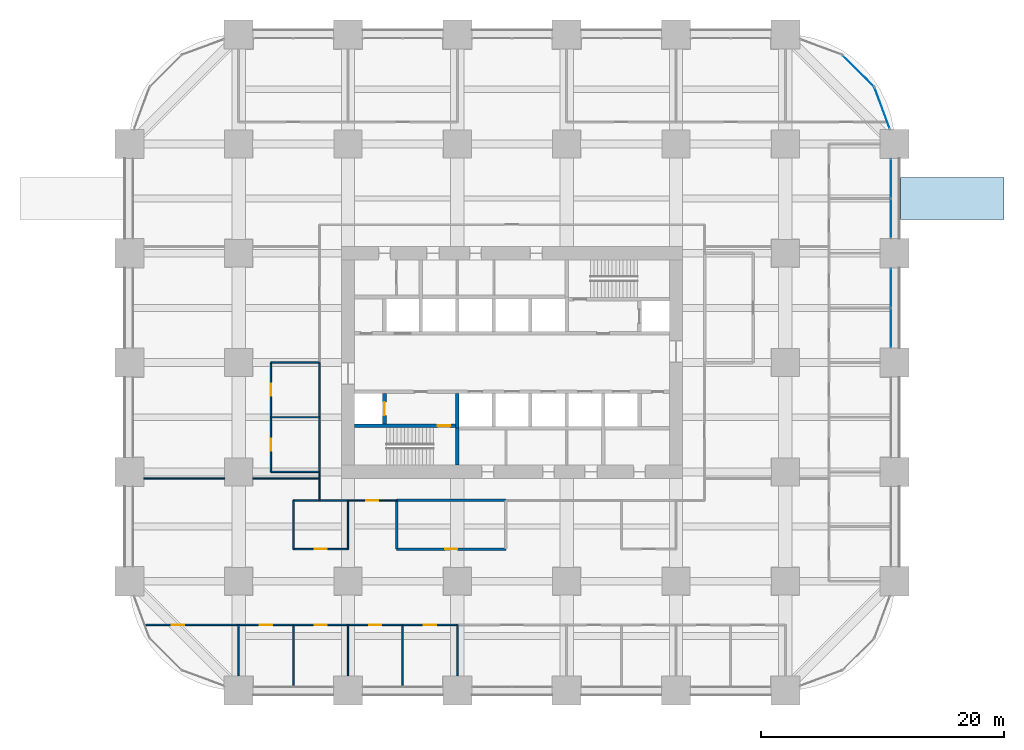
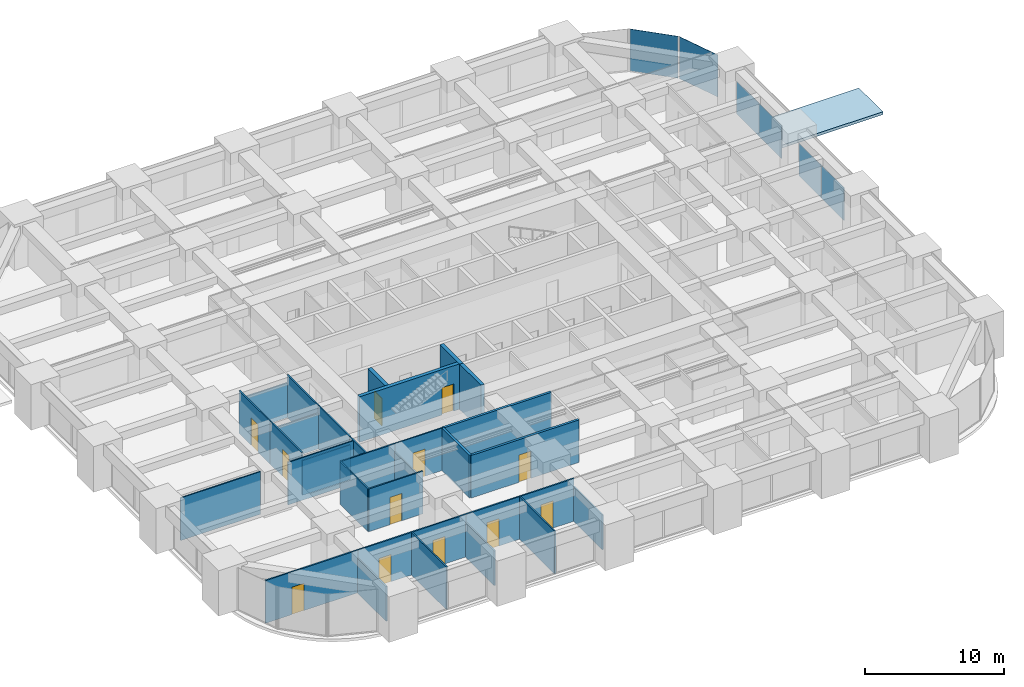
# One storey, part 33 of 39: 32 walls, 12 doors, 6 plates, 1 slab, 12 openings, 4 elements without a shape of their own.
"""IFC4 building model written with IfcOpenShell, lengths in metres."""

from ifc_helpers import new_model, si_unit, direction, frame, frame_2d, origin, origin_2d, place, context, subcontext, project, spatial, polyline, rectangle, outline, extrude, material, layer, layer_set, type_object, element, fill, aggregate, save


model = new_model("IFC4")

# Units and contexts
model_context = context("Model", 3, precision=1e-05, world=origin(), true_north=direction((0.0, 1.0)))
body_context = subcontext(model_context, "Body", "Model", "MODEL_VIEW")
ifc_project = project(units=[si_unit("LENGTHUNIT", "METRE"), si_unit("AREAUNIT", "SQUARE_METRE"), si_unit("VOLUMEUNIT", "CUBIC_METRE"), si_unit("PLANEANGLEUNIT", "RADIAN"), si_unit("MASSUNIT", "GRAM", prefix="KILO")], contexts=[model_context])

# Site, building, storey
site_placement = place(None, origin())
site = spatial("IfcSite", under=ifc_project, at=site_placement, CompositionType="ELEMENT")
building_placement = place(site_placement, origin())
building = spatial("IfcBuilding", under=site, at=building_placement, Name="Zorevar Civic Tower", CompositionType="ELEMENT")
storey_placement = place(building_placement, frame((0.0, 0.0, 19.800048828125)))
storey = spatial("IfcBuildingStorey", under=building, at=storey_placement, Name="L04", CompositionType="ELEMENT", Elevation=19.800048828125)

# Curtain wall, plates
ifc_material_1 = material(Name="Dark grey solar-control glass in black aluminium frame", Category="aluminium")
curtain_wall_type = type_object("IfcCurtainWallType", Name="Curtain wall CW2 low zone", PredefinedType="NOTDEFINED", material=ifc_material_1)
curtain_wall_1_placement = place(storey_placement, origin())
curtain_wall_1 = element("IfcCurtainWall", 1, at=curtain_wall_1_placement, inside=storey, type_object=curtain_wall_type, Name="CW2 L04", PredefinedType="NOTDEFINED")
ifc_material_2 = material(Name="Dark grey solar-control glass", Category="glass")
ifc_layer_1 = layer(ifc_material_2, 0.031982421875)
ifc_layer_set_1 = layer_set([ifc_layer_1], Name="CW2 panel 32")
plate_type = type_object("IfcPlateType", Name="CW2 panel 32", PredefinedType="CURTAIN_PANEL", material=ifc_layer_set_1)
plate_1_placement = place(storey_placement, frame((62.699951171875, 29.864990234375, 0.06005859375), z_axis=(0.0, 0.0, 1.0), x_axis=(0.0, 1.0, 0.0)))
plate_1 = element("IfcPlate", 2, at=plate_1_placement, type_object=plate_type, Name="CW2 panel 1.1", PredefinedType="CURTAIN_PANEL", context=body_context, shape_type="SweptSolid", body=[
    extrude(rectangle(XDim=3.2099609375, YDim=0.031982421875, at=origin_2d()), origin(), (0.0, 0.0, 1.0), 2.889892578125),
])
plate_2_placement = place(storey_placement, frame((62.699951171875, 33.135009765625, 0.06005859375), z_axis=(0.0, 0.0, 1.0), x_axis=(0.0, 1.0, 0.0)))
plate_2 = element("IfcPlate", 3, at=plate_2_placement, type_object=plate_type, Name="CW2 panel 2.1", PredefinedType="CURTAIN_PANEL", context=body_context, shape_type="SweptSolid", body=[
    extrude(rectangle(XDim=3.2099609375, YDim=0.031982421875, at=origin_2d()), origin(), (0.0, 0.0, 1.0), 2.889892578125),
])
aggregate(curtain_wall_1, [plate_1, plate_2])

curtain_wall_2_placement = place(storey_placement, origin())
curtain_wall_2 = element("IfcCurtainWall", 4, at=curtain_wall_2_placement, inside=storey, type_object=curtain_wall_type, Name="CW2 L04", PredefinedType="NOTDEFINED")
plate_3_placement = place(storey_placement, frame((62.699951171875, 38.864990234375, 0.06005859375), z_axis=(0.0, 0.0, 1.0), x_axis=(0.0, 1.0, 0.0)))
plate_3 = element("IfcPlate", 5, at=plate_3_placement, type_object=plate_type, Name="CW2 panel 1.1", PredefinedType="CURTAIN_PANEL", context=body_context, shape_type="SweptSolid", body=[
    extrude(rectangle(XDim=3.2099609375, YDim=0.031982421875, at=origin_2d()), origin(), (0.0, 0.0, 1.0), 2.889892578125),
])
plate_4_placement = place(storey_placement, frame((62.699951171875, 42.135009765625, 0.06005859375), z_axis=(0.0, 0.0, 1.0), x_axis=(0.0, 1.0, 0.0)))
plate_4 = element("IfcPlate", 6, at=plate_4_placement, type_object=plate_type, Name="CW2 panel 2.1", PredefinedType="CURTAIN_PANEL", context=body_context, shape_type="SweptSolid", body=[
    extrude(rectangle(XDim=3.2099609375, YDim=0.031982421875, at=origin_2d()), origin(), (0.0, 0.0, 1.0), 2.889892578125),
])
aggregate(curtain_wall_2, [plate_3, plate_4])

# Curtain wall, plate
curtain_wall_3_placement = place(storey_placement, origin())
curtain_wall_3 = element("IfcCurtainWall", 7, at=curtain_wall_3_placement, inside=storey, type_object=curtain_wall_type, Name="CW2 L04", PredefinedType="NOTDEFINED")
plate_5_placement = place(storey_placement, frame((61.97119140625, 47.9462890625, 0.06005859375), z_axis=(0.0, 0.0, 1.0), x_axis=(-0.346704012033, 0.937974588163, 0.0)))
plate_5 = element("IfcPlate", 8, at=plate_5_placement, type_object=plate_type, Name="CW2 panel 1.1", PredefinedType="CURTAIN_PANEL", context=body_context, shape_type="SweptSolid", body=[
    extrude(rectangle(XDim=3.603759765625, YDim=0.031982421875, at=origin_2d()), origin(), (0.0, 0.0, 1.0), 3.68994140625),
])
aggregate(curtain_wall_3, [plate_5])

curtain_wall_4_placement = place(storey_placement, origin())
curtain_wall_4 = element("IfcCurtainWall", 9, at=curtain_wall_4_placement, inside=storey, type_object=curtain_wall_type, Name="CW2 L04", PredefinedType="NOTDEFINED")
plate_6_placement = place(storey_placement, frame((60.00927734375, 51.00927734375, 0.06005859375), z_axis=(0.0, 0.0, 1.0), x_axis=(-0.707106781187, 0.707106781187, 0.0)))
plate_6 = element("IfcPlate", 10, at=plate_6_placement, type_object=plate_type, Name="CW2 panel 1.1", PredefinedType="CURTAIN_PANEL", context=body_context, shape_type="SweptSolid", body=[
    extrude(rectangle(XDim=3.603759765625, YDim=0.031982421875, at=origin_2d()), origin(), (0.0, 0.0, 1.0), 3.68994140625),
])
aggregate(curtain_wall_4, [plate_6])

# Slab
ifc_material_3 = material(Name="Concrete C40/50", Category="concrete")
ifc_layer_2 = layer(ifc_material_3, 0.25)
ifc_layer_set_2 = layer_set([ifc_layer_2], Name="Stair roof slab 250")
slab_type = type_object("IfcSlabType", Name="Stair roof slab 250", PredefinedType="ROOF", material=ifc_layer_set_2)
slab_placement = place(storey_placement, frame((0.0, 0.0, -0.25)))
element("IfcSlab", 11, at=slab_placement, inside=storey, type_object=slab_type, Name="Stair PS2 head-house roof", PredefinedType="ROOF", context=body_context, shape_type="SweptSolid", body=[
    extrude(outline(polyline([(63.5, 38.77490234375), (72.0, 38.77490234375), (72.0, 42.22509765625), (63.5, 42.22509765625), (63.5, 38.77490234375)])), origin(), (0.0, 0.0, 1.0), 0.25),
])

# Wall, opening, door
ifc_material_4 = material(Name="Concrete blockwork", Category="masonry")
ifc_layer_3 = layer(ifc_material_4, 0.199951171875)
ifc_layer_set_3 = layer_set([ifc_layer_3], Name="Blockwork wall 200")
wall_type_1 = type_object("IfcWallType", Name="Blockwork wall 200", PredefinedType="SOLIDWALL", material=ifc_layer_set_3)
wall_1_placement = place(storey_placement, frame((22.0, 11.64990234375, 0.0), z_axis=(0.0, 0.0, 1.0), x_axis=(1.0, 0.0, 0.0)))
wall_1 = element("IfcWall", 12, at=wall_1_placement, inside=storey, type_object=wall_type_1, Name="Blockwork wall 200 L04", PredefinedType="SOLIDWALL", context=body_context, shape_type="SweptSolid", body=[
    extrude(rectangle(XDim=9.0, YDim=0.199951171875, at=frame_2d((4.5, 0.0))), origin(), (0.0, 0.0, 1.0), 3.75),
])
opening_1_placement = place(wall_1_placement, frame((4.0, 0.0, 0.0)))
opening_1 = element("IfcOpeningElement", 13, at=opening_1_placement, cuts=wall_1, Name="Opening L04.27", PredefinedType="OPENING", context=body_context, shape_type="SweptSolid", body=[
    extrude(rectangle(XDim=1.0, YDim=2.39990234375, at=frame_2d((0.5, 1.199951171875))), frame((0.0, 0.10986328125, 0.0), z_axis=(0.0, -1.0, 0.0), x_axis=(1.0, 0.0, 0.0)), (0.0, 0.0, 1.0), 0.219970703125),
])
ifc_material_5 = material(Name="Steel door set", Category="steel")
door_type_1 = type_object("IfcDoorType", Name="Security door SD1 1000x2400", OperationType="SINGLE_SWING_LEFT", PredefinedType="DOOR", material=ifc_material_5)
door_1_placement = place(opening_1_placement, origin())
door_1 = element("IfcDoor", 14, at=door_1_placement, inside=storey, type_object=door_type_1, Name="Door L04 D1", OperationType="SINGLE_SWING_LEFT", OverallHeight=2.39990234375, OverallWidth=1.0, PredefinedType="DOOR", context=body_context, shape_type="SweptSolid", body=[
    extrude(rectangle(XDim=1.0, YDim=2.39990234375, at=frame_2d((0.5, 1.199951171875))), frame((0.0, 0.03515625, 0.0), z_axis=(0.0, -1.0, 0.0), x_axis=(1.0, 0.0, 0.0)), (0.0, 0.0, 1.0), 0.070068359375),
])
fill(opening_1, door_1)

# Walls
wall_2_placement = place(storey_placement, frame((22.0, 15.64990234375, 0.0), z_axis=(0.0, 0.0, 1.0), x_axis=(1.0, 0.0, 0.0)))
element("IfcWall", 15, at=wall_2_placement, inside=storey, type_object=wall_type_1, Name="Blockwork wall 200 L04", PredefinedType="SOLIDWALL", context=body_context, shape_type="SweptSolid", body=[
    extrude(rectangle(XDim=9.0, YDim=0.199951171875, at=frame_2d((4.5, 0.0))), origin(), (0.0, 0.0, 1.0), 3.75),
])
wall_3_placement = place(storey_placement, frame((22.0, 11.64990234375, 0.0), z_axis=(0.0, 0.0, 1.0), x_axis=(0.0, 1.0, 0.0)))
element("IfcWall", 16, at=wall_3_placement, inside=storey, type_object=wall_type_1, Name="Blockwork wall 200 L04", PredefinedType="SOLIDWALL", context=body_context, shape_type="SweptSolid", body=[
    extrude(rectangle(XDim=4.0, YDim=0.199951171875, at=frame_2d((2.0, 0.0))), origin(), (0.0, 0.0, 1.0), 3.75),
])

# Wall, opening, door
ifc_material_6 = material(Name="Laminated glass in black aluminium frame", Category="aluminium")
ifc_layer_4 = layer(ifc_material_6, 0.10009765625)
ifc_layer_set_4 = layer_set([ifc_layer_4], Name="Glazed partition 100")
wall_type_2 = type_object("IfcWallType", Name="Glazed partition 100", PredefinedType="PARTITIONING", material=ifc_layer_set_4)
wall_4_placement = place(storey_placement, frame((18.0, 15.64990234375, 0.0), z_axis=(0.0, 0.0, 1.0), x_axis=(1.0, 0.0, 0.0)))
wall_4 = element("IfcWall", 17, at=wall_4_placement, inside=storey, type_object=wall_type_2, Name="Glazed partition 100 L04", PredefinedType="PARTITIONING", context=body_context, shape_type="SweptSolid", body=[
    extrude(rectangle(XDim=4.0, YDim=0.10009765625, at=frame_2d((2.0, 0.0))), origin(), (0.0, 0.0, 1.0), 3.75),
])
opening_2_placement = place(wall_4_placement, frame((1.5, 0.0, 0.0)))
opening_2 = element("IfcOpeningElement", 18, at=opening_2_placement, cuts=wall_4, Name="Opening L04.30", PredefinedType="OPENING", context=body_context, shape_type="SweptSolid", body=[
    extrude(rectangle(XDim=1.0, YDim=2.39990234375, at=frame_2d((0.5, 1.199951171875))), frame((0.0, 0.06005859375, 0.0), z_axis=(0.0, -1.0, 0.0), x_axis=(1.0, 0.0, 0.0)), (0.0, 0.0, 1.0), 0.1201171875),
])
ifc_material_7 = material(Name="Timber door set", Category="wood")
door_type_2 = type_object("IfcDoorType", Name="Glazed door GD1 1000x2400", OperationType="SINGLE_SWING_LEFT", PredefinedType="DOOR", material=ifc_material_7)
door_2_placement = place(opening_2_placement, origin())
door_2 = element("IfcDoor", 19, at=door_2_placement, inside=storey, type_object=door_type_2, Name="Door L04 D1", OperationType="SINGLE_SWING_LEFT", OverallHeight=2.39990234375, OverallWidth=1.0, PredefinedType="DOOR", context=body_context, shape_type="SweptSolid", body=[
    extrude(rectangle(XDim=1.0, YDim=2.39990234375, at=frame_2d((0.5, 1.199951171875))), frame((0.0, 0.02001953125, 0.0), z_axis=(0.0, -1.0, 0.0), x_axis=(1.0, 0.0, 0.0)), (0.0, 0.0, 1.0), 0.0400390625),
])
fill(opening_2, door_2)

# Walls
wall_5_placement = place(storey_placement, frame((1.199951171875, 17.449951171875, 0.0), z_axis=(0.0, 0.0, 1.0), x_axis=(1.0, 0.0, 0.0)))
element("IfcWall", 20, at=wall_5_placement, inside=storey, type_object=wall_type_2, Name="Glazed partition 100 L04", PredefinedType="PARTITIONING", context=body_context, shape_type="SweptSolid", body=[
    extrude(rectangle(XDim=6.650146484375, YDim=0.10009765625, at=frame_2d((3.3251953125, 0.0))), origin(), (0.0, 0.0, 1.0), 3.75),
])
wall_6_placement = place(storey_placement, frame((10.14990234375, 17.449951171875, 0.0), z_axis=(0.0, 0.0, 1.0), x_axis=(1.0, 0.0, 0.0)))
element("IfcWall", 21, at=wall_6_placement, inside=storey, type_object=wall_type_2, Name="Glazed partition 100 L04", PredefinedType="PARTITIONING", context=body_context, shape_type="SweptSolid", body=[
    extrude(rectangle(XDim=5.5, YDim=0.10009765625, at=frame_2d((2.75, 0.0))), origin(), (0.0, 0.0, 1.0), 3.75),
])
wall_7_placement = place(storey_placement, frame((15.64990234375, 15.64990234375, 0.0), z_axis=(0.0, 0.0, 1.0), x_axis=(0.0, 1.0, 0.0)))
element("IfcWall", 22, at=wall_7_placement, inside=storey, type_object=wall_type_2, Name="Glazed partition 100 L04", PredefinedType="PARTITIONING", context=body_context, shape_type="SweptSolid", body=[
    extrude(rectangle(XDim=2.35009765625, YDim=0.10009765625, at=frame_2d((1.175048828125, 0.0))), origin(), (0.0, 0.0, 1.0), 3.75),
])

# Wall, opening, door
ifc_material_8 = material(Name="Concrete C40/50", Category="concrete")
ifc_layer_5 = layer(ifc_material_8, 0.300048828125)
ifc_layer_set_5 = layer_set([ifc_layer_5], Name="Inner core wall 300")
wall_type_3 = type_object("IfcWallType", Name="Inner core wall 300", PredefinedType="SHEAR", material=ifc_layer_set_5)
wall_8_placement = place(storey_placement, frame((18.550048828125, 21.800048828125, 0.0), z_axis=(0.0, 0.0, 1.0), x_axis=(1.0, 0.0, 0.0)))
wall_8 = element("IfcWall", 23, at=wall_8_placement, inside=storey, type_object=wall_type_3, Name="Inner core wall S00 L04", PredefinedType="SHEAR", context=body_context, shape_type="SweptSolid", body=[
    extrude(rectangle(XDim=8.300048828125, YDim=0.300048828125, at=frame_2d((4.14990234375, 0.0))), origin(), (0.0, 0.0, 1.0), 4.0),
])
opening_3_placement = place(wall_8_placement, frame((6.85009765625, 0.0, 0.0)))
opening_3 = element("IfcOpeningElement", 24, at=opening_3_placement, cuts=wall_8, Name="Opening L04.11", PredefinedType="OPENING", context=body_context, shape_type="SweptSolid", body=[
    extrude(rectangle(XDim=1.0, YDim=2.39990234375, at=frame_2d((0.5, 1.199951171875))), frame((0.0, 0.159912109375, 0.0), z_axis=(0.0, -1.0, 0.0), x_axis=(1.0, 0.0, 0.0)), (0.0, 0.0, 1.0), 0.320068359375),
])
ifc_material_9 = material(Name="Steel door set", Category="steel")
door_type_3 = type_object("IfcDoorType", Name="Fire door FD1 1000x2400", OperationType="SINGLE_SWING_LEFT", PredefinedType="DOOR", material=ifc_material_9)
door_3_placement = place(opening_3_placement, origin())
door_3 = element("IfcDoor", 25, at=door_3_placement, inside=storey, type_object=door_type_3, Name="Door L04 10", OperationType="SINGLE_SWING_RIGHT", OverallHeight=2.39990234375, OverallWidth=1.0, PredefinedType="DOOR", context=body_context, shape_type="SweptSolid", body=[
    extrude(rectangle(XDim=1.0, YDim=2.39990234375, at=frame_2d((0.5, 1.199951171875))), frame((0.0, 0.030029296875, 0.0), z_axis=(0.0, -1.0, 0.0), x_axis=(1.0, 0.0, 0.0)), (0.0, 0.0, 1.0), 0.06005859375),
])
fill(opening_3, door_3)

# Wall
wall_9_placement = place(storey_placement, frame((27.0, 18.550048828125, 0.0), z_axis=(0.0, 0.0, 1.0), x_axis=(0.0, 1.0, 0.0)))
element("IfcWall", 26, at=wall_9_placement, inside=storey, type_object=wall_type_3, Name="Inner core wall S01 L04", PredefinedType="SHEAR", context=body_context, shape_type="SweptSolid", body=[
    extrude(rectangle(XDim=3.050048828125, YDim=0.300048828125, at=frame_2d((1.52490234375, 0.0))), origin(), (0.0, 0.0, 1.0), 4.0),
])

# Wall, opening, door
wall_10_placement = place(storey_placement, frame((21.0, 21.949951171875, 0.0), z_axis=(0.0, 0.0, 1.0), x_axis=(0.0, 1.0, 0.0)))
wall_10 = element("IfcWall", 27, at=wall_10_placement, inside=storey, type_object=wall_type_3, Name="Inner core wall S02 L04", PredefinedType="SHEAR", context=body_context, shape_type="SweptSolid", body=[
    extrude(rectangle(XDim=2.5, YDim=0.300048828125, at=frame_2d((1.25, 0.0))), origin(), (0.0, 0.0, 1.0), 4.0),
])
opening_4_placement = place(wall_10_placement, frame((0.699951171875, 0.0, 0.0)))
opening_4 = element("IfcOpeningElement", 28, at=opening_4_placement, cuts=wall_10, Name="Opening L04.FL1", PredefinedType="OPENING", context=body_context, shape_type="SweptSolid", body=[
    extrude(rectangle(XDim=1.10009765625, YDim=2.39990234375, at=frame_2d((0.550048828125, 1.199951171875))), frame((0.0, 0.159912109375, 0.0), z_axis=(0.0, -1.0, 0.0), x_axis=(1.0, 0.0, 0.0)), (0.0, 0.0, 1.0), 0.320068359375),
])
ifc_material_10 = material(Name="Steel door set", Category="steel")
door_type_4 = type_object("IfcDoorType", Name="Firefighting lift landing door LD3 1100x2400", OperationType="DOUBLE_DOOR_SLIDING", PredefinedType="DOOR", material=ifc_material_10)
door_4_placement = place(opening_4_placement, origin())
door_4 = element("IfcDoor", 29, at=door_4_placement, inside=storey, type_object=door_type_4, Name="Landing door FL1 L04", OperationType="DOUBLE_DOOR_SLIDING", OverallHeight=2.39990234375, OverallWidth=1.10009765625, PredefinedType="DOOR", context=body_context, shape_type="SweptSolid", body=[
    extrude(rectangle(XDim=1.10009765625, YDim=2.39990234375, at=frame_2d((0.550048828125, 1.199951171875))), frame((0.0, 0.030029296875, 0.0), z_axis=(0.0, -1.0, 0.0), x_axis=(1.0, 0.0, 0.0)), (0.0, 0.0, 1.0), 0.06005859375),
])
fill(opening_4, door_4)

# Wall
wall_11_placement = place(storey_placement, frame((27.0, 21.60009765625, 0.0), z_axis=(0.0, 0.0, 1.0), x_axis=(0.0, 1.0, 0.0)))
element("IfcWall", 30, at=wall_11_placement, inside=storey, type_object=wall_type_3, Name="Inner core wall S10 L04", PredefinedType="SHEAR", context=body_context, shape_type="SweptSolid", body=[
    extrude(rectangle(XDim=2.849853515625, YDim=0.300048828125, at=frame_2d((1.4248046875, 0.0))), origin(), (0.0, 0.0, 1.0), 4.0),
])

# Wall, opening, door
ifc_material_11 = material(Name="Gypsum board on steel studs", Category="steel")
ifc_layer_6 = layer(ifc_material_11, 0.1201171875)
ifc_layer_set_6 = layer_set([ifc_layer_6], Name="Partition 120")
wall_type_4 = type_object("IfcWallType", Name="Partition 120", PredefinedType="PARTITIONING", material=ifc_layer_set_6)
wall_12_placement = place(storey_placement, frame((9.0, 5.39990234375, 0.0), z_axis=(0.0, 0.0, 1.0), x_axis=(1.0, 0.0, 0.0)))
wall_12 = element("IfcWall", 31, at=wall_12_placement, inside=storey, type_object=wall_type_4, Name="Partition 120 L04", PredefinedType="PARTITIONING", context=body_context, shape_type="SweptSolid", body=[
    extrude(rectangle(XDim=4.5, YDim=0.1201171875, at=frame_2d((2.25, 0.0))), origin(), (0.0, 0.0, 1.0), 3.75),
])
opening_5_placement = place(wall_12_placement, frame((1.75, 0.0, 0.0)))
opening_5 = element("IfcOpeningElement", 32, at=opening_5_placement, cuts=wall_12, Name="Opening L04.17", PredefinedType="OPENING", context=body_context, shape_type="SweptSolid", body=[
    extrude(rectangle(XDim=1.0, YDim=2.39990234375, at=frame_2d((0.5, 1.199951171875))), frame((0.0, 0.070068359375, 0.0), z_axis=(0.0, -1.0, 0.0), x_axis=(1.0, 0.0, 0.0)), (0.0, 0.0, 1.0), 0.14013671875),
])
ifc_material_12 = material(Name="Timber door set", Category="wood")
door_type_5 = type_object("IfcDoorType", Name="Door D1 1000x2400", OperationType="SINGLE_SWING_LEFT", PredefinedType="DOOR", material=ifc_material_12)
door_5_placement = place(opening_5_placement, origin())
door_5 = element("IfcDoor", 33, at=door_5_placement, inside=storey, type_object=door_type_5, Name="Door L04 D1", OperationType="SINGLE_SWING_RIGHT", OverallHeight=2.39990234375, OverallWidth=1.0, PredefinedType="DOOR", context=body_context, shape_type="SweptSolid", body=[
    extrude(rectangle(XDim=1.0, YDim=2.39990234375, at=frame_2d((0.5, 1.199951171875))), frame((0.0, 0.02490234375, 0.0), z_axis=(0.0, -1.0, 0.0), x_axis=(1.0, 0.0, 0.0)), (0.0, 0.0, 1.0), 0.050048828125),
])
fill(opening_5, door_5)

wall_13_placement = place(storey_placement, frame((13.5, 5.39990234375, 0.0), z_axis=(0.0, 0.0, 1.0), x_axis=(1.0, 0.0, 0.0)))
wall_13 = element("IfcWall", 34, at=wall_13_placement, inside=storey, type_object=wall_type_4, Name="Partition 120 L04", PredefinedType="PARTITIONING", context=body_context, shape_type="SweptSolid", body=[
    extrude(rectangle(XDim=4.5, YDim=0.1201171875, at=frame_2d((2.25, 0.0))), origin(), (0.0, 0.0, 1.0), 3.75),
])
opening_6_placement = place(wall_13_placement, frame((1.75, 0.0, 0.0)))
opening_6 = element("IfcOpeningElement", 35, at=opening_6_placement, cuts=wall_13, Name="Opening L04.18", PredefinedType="OPENING", context=body_context, shape_type="SweptSolid", body=[
    extrude(rectangle(XDim=1.0, YDim=2.39990234375, at=frame_2d((0.5, 1.199951171875))), frame((0.0, 0.070068359375, 0.0), z_axis=(0.0, -1.0, 0.0), x_axis=(1.0, 0.0, 0.0)), (0.0, 0.0, 1.0), 0.14013671875),
])
door_6_placement = place(opening_6_placement, origin())
door_6 = element("IfcDoor", 36, at=door_6_placement, inside=storey, type_object=door_type_5, Name="Door L04 D1", OperationType="SINGLE_SWING_RIGHT", OverallHeight=2.39990234375, OverallWidth=1.0, PredefinedType="DOOR", context=body_context, shape_type="SweptSolid", body=[
    extrude(rectangle(XDim=1.0, YDim=2.39990234375, at=frame_2d((0.5, 1.199951171875))), frame((0.0, 0.02490234375, 0.0), z_axis=(0.0, -1.0, 0.0), x_axis=(1.0, 0.0, 0.0)), (0.0, 0.0, 1.0), 0.050048828125),
])
fill(opening_6, door_6)

wall_14_placement = place(storey_placement, frame((18.0, 5.39990234375, 0.0), z_axis=(0.0, 0.0, 1.0), x_axis=(1.0, 0.0, 0.0)))
wall_14 = element("IfcWall", 37, at=wall_14_placement, inside=storey, type_object=wall_type_4, Name="Partition 120 L04", PredefinedType="PARTITIONING", context=body_context, shape_type="SweptSolid", body=[
    extrude(rectangle(XDim=4.5, YDim=0.1201171875, at=frame_2d((2.25, 0.0))), origin(), (0.0, 0.0, 1.0), 3.75),
])
opening_7_placement = place(wall_14_placement, frame((1.75, 0.0, 0.0)))
opening_7 = element("IfcOpeningElement", 38, at=opening_7_placement, cuts=wall_14, Name="Opening L04.19", PredefinedType="OPENING", context=body_context, shape_type="SweptSolid", body=[
    extrude(rectangle(XDim=1.0, YDim=2.39990234375, at=frame_2d((0.5, 1.199951171875))), frame((0.0, 0.070068359375, 0.0), z_axis=(0.0, -1.0, 0.0), x_axis=(1.0, 0.0, 0.0)), (0.0, 0.0, 1.0), 0.14013671875),
])
door_7_placement = place(opening_7_placement, origin())
door_7 = element("IfcDoor", 39, at=door_7_placement, inside=storey, type_object=door_type_5, Name="Door L04 D1", OperationType="SINGLE_SWING_RIGHT", OverallHeight=2.39990234375, OverallWidth=1.0, PredefinedType="DOOR", context=body_context, shape_type="SweptSolid", body=[
    extrude(rectangle(XDim=1.0, YDim=2.39990234375, at=frame_2d((0.5, 1.199951171875))), frame((0.0, 0.02490234375, 0.0), z_axis=(0.0, -1.0, 0.0), x_axis=(1.0, 0.0, 0.0)), (0.0, 0.0, 1.0), 0.050048828125),
])
fill(opening_7, door_7)

wall_15_placement = place(storey_placement, frame((22.5, 5.39990234375, 0.0), z_axis=(0.0, 0.0, 1.0), x_axis=(1.0, 0.0, 0.0)))
wall_15 = element("IfcWall", 40, at=wall_15_placement, inside=storey, type_object=wall_type_4, Name="Partition 120 L04", PredefinedType="PARTITIONING", context=body_context, shape_type="SweptSolid", body=[
    extrude(rectangle(XDim=4.5, YDim=0.1201171875, at=frame_2d((2.25, 0.0))), origin(), (0.0, 0.0, 1.0), 3.75),
])
opening_8_placement = place(wall_15_placement, frame((1.75, 0.0, 0.0)))
opening_8 = element("IfcOpeningElement", 41, at=opening_8_placement, cuts=wall_15, Name="Opening L04.20", PredefinedType="OPENING", context=body_context, shape_type="SweptSolid", body=[
    extrude(rectangle(XDim=1.0, YDim=2.39990234375, at=frame_2d((0.5, 1.199951171875))), frame((0.0, 0.070068359375, 0.0), z_axis=(0.0, -1.0, 0.0), x_axis=(1.0, 0.0, 0.0)), (0.0, 0.0, 1.0), 0.14013671875),
])
door_8_placement = place(opening_8_placement, origin())
door_8 = element("IfcDoor", 42, at=door_8_placement, inside=storey, type_object=door_type_5, Name="Door L04 D1", OperationType="SINGLE_SWING_RIGHT", OverallHeight=2.39990234375, OverallWidth=1.0, PredefinedType="DOOR", context=body_context, shape_type="SweptSolid", body=[
    extrude(rectangle(XDim=1.0, YDim=2.39990234375, at=frame_2d((0.5, 1.199951171875))), frame((0.0, 0.02490234375, 0.0), z_axis=(0.0, -1.0, 0.0), x_axis=(1.0, 0.0, 0.0)), (0.0, 0.0, 1.0), 0.050048828125),
])
fill(opening_8, door_8)

wall_16_placement = place(storey_placement, frame((1.3095703125, 5.39990234375, 0.0), z_axis=(0.0, 0.0, 1.0), x_axis=(1.0, 0.0, 0.0)))
wall_16 = element("IfcWall", 43, at=wall_16_placement, inside=storey, type_object=wall_type_4, Name="Partition 120 L04", PredefinedType="PARTITIONING", context=body_context, shape_type="SweptSolid", body=[
    extrude(rectangle(XDim=7.6904296875, YDim=0.1201171875, at=frame_2d((3.84521484375, 0.0))), origin(), (0.0, 0.0, 1.0), 3.75),
])
opening_9_placement = place(wall_16_placement, frame((2.1904296875, 0.0, 0.0)))
opening_9 = element("IfcOpeningElement", 44, at=opening_9_placement, cuts=wall_16, Name="Opening L04.26", PredefinedType="OPENING", context=body_context, shape_type="SweptSolid", body=[
    extrude(rectangle(XDim=1.0, YDim=2.39990234375, at=frame_2d((0.5, 1.199951171875))), frame((0.0, 0.070068359375, 0.0), z_axis=(0.0, -1.0, 0.0), x_axis=(1.0, 0.0, 0.0)), (0.0, 0.0, 1.0), 0.14013671875),
])
door_9_placement = place(opening_9_placement, origin())
door_9 = element("IfcDoor", 45, at=door_9_placement, inside=storey, type_object=door_type_5, Name="Door L04 D1", OperationType="SINGLE_SWING_RIGHT", OverallHeight=2.39990234375, OverallWidth=1.0, PredefinedType="DOOR", context=body_context, shape_type="SweptSolid", body=[
    extrude(rectangle(XDim=1.0, YDim=2.39990234375, at=frame_2d((0.5, 1.199951171875))), frame((0.0, 0.02490234375, 0.0), z_axis=(0.0, -1.0, 0.0), x_axis=(1.0, 0.0, 0.0)), (0.0, 0.0, 1.0), 0.050048828125),
])
fill(opening_9, door_9)

wall_17_placement = place(storey_placement, frame((13.5, 11.64990234375, 0.0), z_axis=(0.0, 0.0, 1.0), x_axis=(1.0, 0.0, 0.0)))
wall_17 = element("IfcWall", 46, at=wall_17_placement, inside=storey, type_object=wall_type_4, Name="Partition 120 L04", PredefinedType="PARTITIONING", context=body_context, shape_type="SweptSolid", body=[
    extrude(rectangle(XDim=4.5, YDim=0.1201171875, at=frame_2d((2.25, 0.0))), origin(), (0.0, 0.0, 1.0), 3.75),
])
opening_10_placement = place(wall_17_placement, frame((1.75, 0.0, 0.0)))
opening_10 = element("IfcOpeningElement", 47, at=opening_10_placement, cuts=wall_17, Name="Opening L04.29", PredefinedType="OPENING", context=body_context, shape_type="SweptSolid", body=[
    extrude(rectangle(XDim=1.0, YDim=2.39990234375, at=frame_2d((0.5, 1.199951171875))), frame((0.0, 0.070068359375, 0.0), z_axis=(0.0, -1.0, 0.0), x_axis=(1.0, 0.0, 0.0)), (0.0, 0.0, 1.0), 0.14013671875),
])
door_10_placement = place(opening_10_placement, origin())
door_10 = element("IfcDoor", 48, at=door_10_placement, inside=storey, type_object=door_type_5, Name="Door L04 D1", OperationType="SINGLE_SWING_LEFT", OverallHeight=2.39990234375, OverallWidth=1.0, PredefinedType="DOOR", context=body_context, shape_type="SweptSolid", body=[
    extrude(rectangle(XDim=1.0, YDim=2.39990234375, at=frame_2d((0.5, 1.199951171875))), frame((0.0, 0.02490234375, 0.0), z_axis=(0.0, -1.0, 0.0), x_axis=(1.0, 0.0, 0.0)), (0.0, 0.0, 1.0), 0.050048828125),
])
fill(opening_10, door_10)

# Walls
wall_18_placement = place(storey_placement, frame((13.5, 15.64990234375, 0.0), z_axis=(0.0, 0.0, 1.0), x_axis=(1.0, 0.0, 0.0)))
element("IfcWall", 49, at=wall_18_placement, inside=storey, type_object=wall_type_4, Name="Partition 120 L04", PredefinedType="PARTITIONING", context=body_context, shape_type="SweptSolid", body=[
    extrude(rectangle(XDim=4.5, YDim=0.1201171875, at=frame_2d((2.25, 0.0))), origin(), (0.0, 0.0, 1.0), 3.75),
])
wall_19_placement = place(storey_placement, frame((11.64990234375, 18.0, 0.0), z_axis=(0.0, 0.0, 1.0), x_axis=(1.0, 0.0, 0.0)))
element("IfcWall", 50, at=wall_19_placement, inside=storey, type_object=wall_type_4, Name="Partition 120 L04", PredefinedType="PARTITIONING", context=body_context, shape_type="SweptSolid", body=[
    extrude(rectangle(XDim=4.0, YDim=0.1201171875, at=frame_2d((2.0, 0.0))), origin(), (0.0, 0.0, 1.0), 3.050048828125),
])
wall_20_placement = place(storey_placement, frame((11.64990234375, 22.5, 0.0), z_axis=(0.0, 0.0, 1.0), x_axis=(1.0, 0.0, 0.0)))
element("IfcWall", 51, at=wall_20_placement, inside=storey, type_object=wall_type_4, Name="Partition 120 L04", PredefinedType="PARTITIONING", context=body_context, shape_type="SweptSolid", body=[
    extrude(rectangle(XDim=4.0, YDim=0.1201171875, at=frame_2d((2.0, 0.0))), origin(), (0.0, 0.0, 1.0), 3.099853515625),
])
wall_21_placement = place(storey_placement, frame((11.64990234375, 27.0, 0.0), z_axis=(0.0, 0.0, 1.0), x_axis=(1.0, 0.0, 0.0)))
element("IfcWall", 52, at=wall_21_placement, inside=storey, type_object=wall_type_4, Name="Partition 120 L04", PredefinedType="PARTITIONING", context=body_context, shape_type="SweptSolid", body=[
    extrude(rectangle(XDim=4.0, YDim=0.1201171875, at=frame_2d((2.0, 0.0))), origin(), (0.0, 0.0, 1.0), 3.050048828125),
])
wall_22_placement = place(storey_placement, frame((9.0, 1.199951171875, 0.0), z_axis=(0.0, 0.0, 1.0), x_axis=(0.0, 1.0, 0.0)))
element("IfcWall", 53, at=wall_22_placement, inside=storey, type_object=wall_type_4, Name="Partition 120 L04", PredefinedType="PARTITIONING", context=body_context, shape_type="SweptSolid", body=[
    extrude(rectangle(XDim=4.199951171875, YDim=0.1201171875, at=frame_2d((2.10009765625, 0.0))), origin(), (0.0, 0.0, 1.0), 3.050048828125),
])

# Wall, opening, door
wall_23_placement = place(storey_placement, frame((11.64990234375, 22.5, 0.0), z_axis=(0.0, 0.0, 1.0), x_axis=(0.0, 1.0, 0.0)))
wall_23 = element("IfcWall", 54, at=wall_23_placement, inside=storey, type_object=wall_type_4, Name="Partition 120 L04", PredefinedType="PARTITIONING", context=body_context, shape_type="SweptSolid", body=[
    extrude(rectangle(XDim=4.5, YDim=0.1201171875, at=frame_2d((2.25, 0.0))), origin(), (0.0, 0.0, 1.0), 3.75),
])
opening_11_placement = place(wall_23_placement, frame((1.75, 0.0, 0.0)))
opening_11 = element("IfcOpeningElement", 55, at=opening_11_placement, cuts=wall_23, Name="Opening L04.37", PredefinedType="OPENING", context=body_context, shape_type="SweptSolid", body=[
    extrude(rectangle(XDim=1.0, YDim=2.39990234375, at=frame_2d((0.5, 1.199951171875))), frame((0.0, 0.070068359375, 0.0), z_axis=(0.0, -1.0, 0.0), x_axis=(1.0, 0.0, 0.0)), (0.0, 0.0, 1.0), 0.14013671875),
])
door_11_placement = place(opening_11_placement, origin())
door_11 = element("IfcDoor", 56, at=door_11_placement, inside=storey, type_object=door_type_5, Name="Door L04 D1", OperationType="SINGLE_SWING_RIGHT", OverallHeight=2.39990234375, OverallWidth=1.0, PredefinedType="DOOR", context=body_context, shape_type="SweptSolid", body=[
    extrude(rectangle(XDim=1.0, YDim=2.39990234375, at=frame_2d((0.5, 1.199951171875))), frame((0.0, 0.02490234375, 0.0), z_axis=(0.0, -1.0, 0.0), x_axis=(1.0, 0.0, 0.0)), (0.0, 0.0, 1.0), 0.050048828125),
])
fill(opening_11, door_11)

wall_24_placement = place(storey_placement, frame((11.64990234375, 18.0, 0.0), z_axis=(0.0, 0.0, 1.0), x_axis=(0.0, 1.0, 0.0)))
wall_24 = element("IfcWall", 57, at=wall_24_placement, inside=storey, type_object=wall_type_4, Name="Partition 120 L04", PredefinedType="PARTITIONING", context=body_context, shape_type="SweptSolid", body=[
    extrude(rectangle(XDim=4.5, YDim=0.1201171875, at=frame_2d((2.25, 0.0))), origin(), (0.0, 0.0, 1.0), 3.75),
])
opening_12_placement = place(wall_24_placement, frame((1.75, 0.0, 0.0)))
opening_12 = element("IfcOpeningElement", 58, at=opening_12_placement, cuts=wall_24, Name="Opening L04.38", PredefinedType="OPENING", context=body_context, shape_type="SweptSolid", body=[
    extrude(rectangle(XDim=1.0, YDim=2.39990234375, at=frame_2d((0.5, 1.199951171875))), frame((0.0, 0.070068359375, 0.0), z_axis=(0.0, -1.0, 0.0), x_axis=(1.0, 0.0, 0.0)), (0.0, 0.0, 1.0), 0.14013671875),
])
door_12_placement = place(opening_12_placement, origin())
door_12 = element("IfcDoor", 59, at=door_12_placement, inside=storey, type_object=door_type_5, Name="Door L04 D1", OperationType="SINGLE_SWING_RIGHT", OverallHeight=2.39990234375, OverallWidth=1.0, PredefinedType="DOOR", context=body_context, shape_type="SweptSolid", body=[
    extrude(rectangle(XDim=1.0, YDim=2.39990234375, at=frame_2d((0.5, 1.199951171875))), frame((0.0, 0.02490234375, 0.0), z_axis=(0.0, -1.0, 0.0), x_axis=(1.0, 0.0, 0.0)), (0.0, 0.0, 1.0), 0.050048828125),
])
fill(opening_12, door_12)

# Walls
wall_25_placement = place(storey_placement, frame((13.5, 0.31005859375, 0.0), z_axis=(0.0, 0.0, 1.0), x_axis=(0.0, 1.0, 0.0)))
element("IfcWall", 60, at=wall_25_placement, inside=storey, type_object=wall_type_4, Name="Partition 120 L04", PredefinedType="PARTITIONING", context=body_context, shape_type="SweptSolid", body=[
    extrude(rectangle(XDim=5.08984375, YDim=0.1201171875, at=frame_2d((2.544921875, 0.0))), origin(), (0.0, 0.0, 1.0), 3.75),
])
wall_26_placement = place(storey_placement, frame((13.5, 11.64990234375, 0.0), z_axis=(0.0, 0.0, 1.0), x_axis=(0.0, 1.0, 0.0)))
element("IfcWall", 61, at=wall_26_placement, inside=storey, type_object=wall_type_4, Name="Partition 120 L04", PredefinedType="PARTITIONING", context=body_context, shape_type="SweptSolid", body=[
    extrude(rectangle(XDim=4.0, YDim=0.1201171875, at=frame_2d((2.0, 0.0))), origin(), (0.0, 0.0, 1.0), 3.75),
])
for number, where, z_axis, x_axis, name in (
    (62, (15.64990234375, 22.5, 0.0), (0.0, 0.0, 1.0), (0.0, 1.0, 0.0), "Partition 120 L04"),
    (63, (15.64990234375, 18.0, 0.0), (0.0, 0.0, 1.0), (0.0, 1.0, 0.0), "Partition 120 L04"),
):
    element("IfcWall", number, at=place(storey_placement, frame(where, z_axis=z_axis, x_axis=x_axis)), inside=storey, type_object=wall_type_4, Name=name, PredefinedType="PARTITIONING", context=body_context, shape_type="SweptSolid", body=[
        extrude(rectangle(XDim=4.5, YDim=0.1201171875, at=frame_2d((2.25, 0.0))), origin(), (0.0, 0.0, 1.0), 3.75),
    ])
wall_27_placement = place(storey_placement, frame((18.0, 1.199951171875, 0.0), z_axis=(0.0, 0.0, 1.0), x_axis=(0.0, 1.0, 0.0)))
element("IfcWall", 64, at=wall_27_placement, inside=storey, type_object=wall_type_4, Name="Partition 120 L04", PredefinedType="PARTITIONING", context=body_context, shape_type="SweptSolid", body=[
    extrude(rectangle(XDim=4.199951171875, YDim=0.1201171875, at=frame_2d((2.10009765625, 0.0))), origin(), (0.0, 0.0, 1.0), 3.050048828125),
])
wall_28_placement = place(storey_placement, frame((18.0, 11.64990234375, 0.0), z_axis=(0.0, 0.0, 1.0), x_axis=(0.0, 1.0, 0.0)))
element("IfcWall", 65, at=wall_28_placement, inside=storey, type_object=wall_type_4, Name="Partition 120 L04", PredefinedType="PARTITIONING", context=body_context, shape_type="SweptSolid", body=[
    extrude(rectangle(XDim=4.0, YDim=0.1201171875, at=frame_2d((2.0, 0.0))), origin(), (0.0, 0.0, 1.0), 3.050048828125),
])
wall_29_placement = place(storey_placement, frame((22.5, 0.31005859375, 0.0), z_axis=(0.0, 0.0, 1.0), x_axis=(0.0, 1.0, 0.0)))
element("IfcWall", 66, at=wall_29_placement, inside=storey, type_object=wall_type_4, Name="Partition 120 L04", PredefinedType="PARTITIONING", context=body_context, shape_type="SweptSolid", body=[
    extrude(rectangle(XDim=5.08984375, YDim=0.1201171875, at=frame_2d((2.544921875, 0.0))), origin(), (0.0, 0.0, 1.0), 3.75),
])
wall_30_placement = place(storey_placement, frame((27.0, 1.199951171875, 0.0), z_axis=(0.0, 0.0, 1.0), x_axis=(0.0, 1.0, 0.0)))
element("IfcWall", 67, at=wall_30_placement, inside=storey, type_object=wall_type_4, Name="Partition 120 L04", PredefinedType="PARTITIONING", context=body_context, shape_type="SweptSolid", body=[
    extrude(rectangle(XDim=4.199951171875, YDim=0.1201171875, at=frame_2d((2.10009765625, 0.0))), origin(), (0.0, 0.0, 1.0), 3.050048828125),
])

save(model, "model.ifc")
